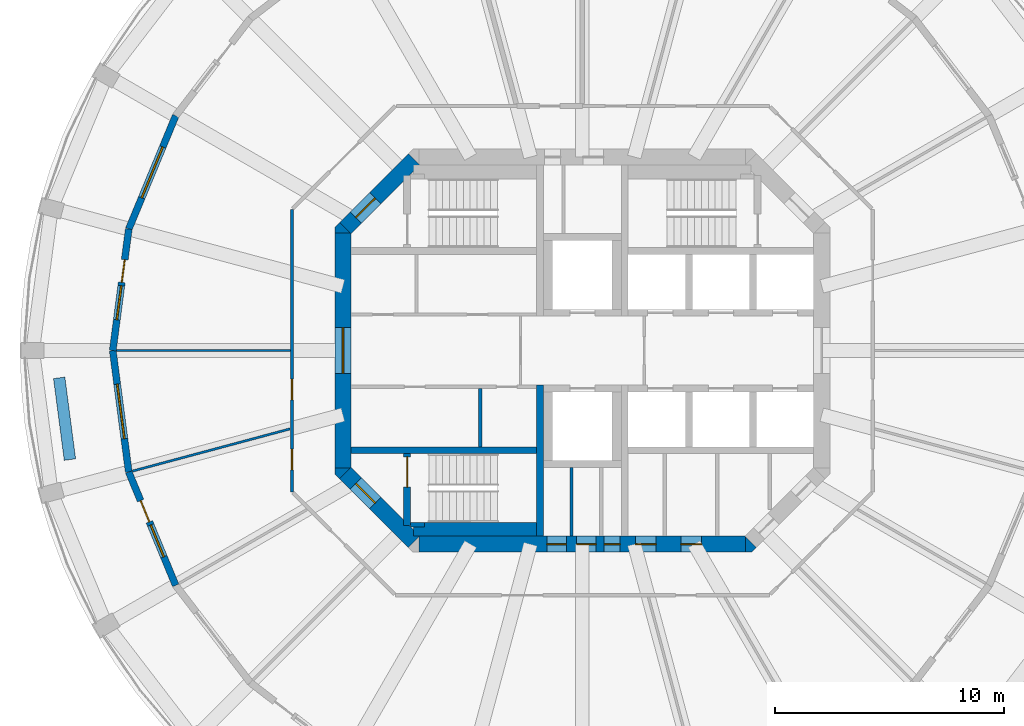
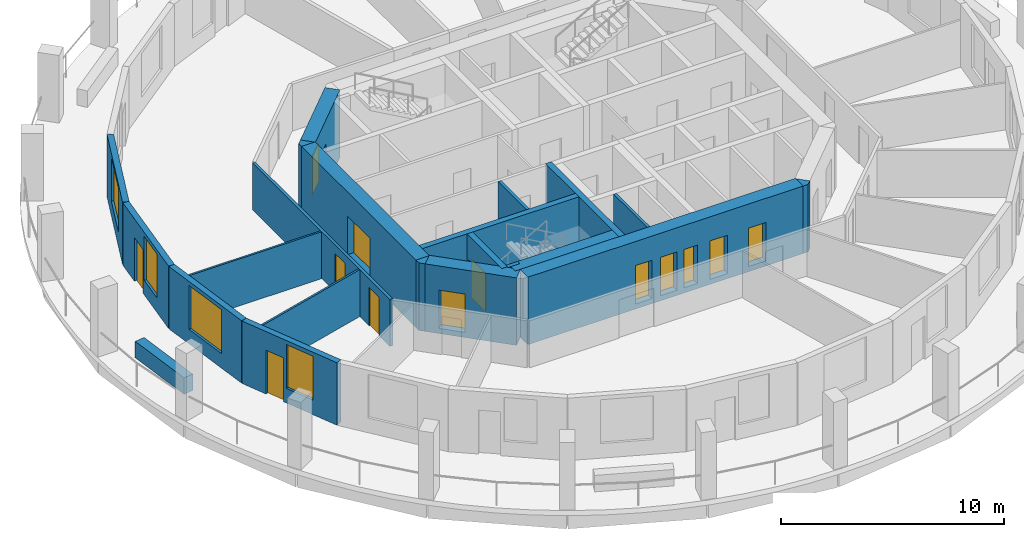
# One storey, part 3 of 9: 22 walls, 13 doors, 4 windows, 17 openings.
"""IFC4 building model written with IfcOpenShell, lengths in metres."""

from ifc_helpers import new_model, si_unit, direction, frame, frame_2d, origin, place, context, subcontext, project, spatial, polyline, rectangle, outline, extrude, material, layer, layer_set, type_object, element, fill, save


model = new_model("IFC4")

# Units and contexts
model_context = context("Model", 3, precision=1e-05, world=origin(), true_north=direction((0.0, 1.0)))
body_context = subcontext(model_context, "Body", "Model", "MODEL_VIEW")
ifc_project = project(units=[si_unit("LENGTHUNIT", "METRE"), si_unit("AREAUNIT", "SQUARE_METRE"), si_unit("VOLUMEUNIT", "CUBIC_METRE"), si_unit("PLANEANGLEUNIT", "RADIAN"), si_unit("MASSUNIT", "GRAM", prefix="KILO")], contexts=[model_context])

# Site, building, storey
site_placement = place(None, origin())
site = spatial("IfcSite", under=ifc_project, at=site_placement, CompositionType="ELEMENT")
building_placement = place(site_placement, origin())
building = spatial("IfcBuilding", under=site, at=building_placement, Name="Torre Triforio", CompositionType="ELEMENT")
storey_placement = place(building_placement, frame((0.0, 0.0, 233.5)))
storey = spatial("IfcBuildingStorey", under=building, at=storey_placement, Name="L53", CompositionType="ELEMENT", Elevation=233.5)

# Wall
ifc_material_1 = material(Name="Concrete C50", Category="concrete")
ifc_layer_1 = layer(ifc_material_1, 0.300048828125)
ifc_layer_set_1 = layer_set([ifc_layer_1], Name="Concrete C50")
wall_type_1 = type_object("IfcWallType", Name="Core wall 300 mm C50 EI 120", PredefinedType="SHEAR", material=ifc_layer_set_1)
wall_1_placement = place(storey_placement, frame((-1.85009765625, -8.10009765625, 0.0), z_axis=(0.0, 0.0, 1.0), x_axis=(0.0, 1.0, 0.0)))
element("IfcWall", 1, at=wall_1_placement, inside=storey, type_object=wall_type_1, Name="Core wall", PredefinedType="SHEAR", context=body_context, shape_type="SweptSolid", body=[
    extrude(rectangle(XDim=6.60009765625, YDim=0.300048828125, at=frame_2d((3.300048828125, 0.0))), origin(), (0.0, 0.0, 1.0), 3.419921875),
])

# Wall, openings, doors
ifc_layer_2 = layer(ifc_material_1, 0.699951171875)
ifc_layer_set_2 = layer_set([ifc_layer_2], Name="Concrete C50")
wall_type_2 = type_object("IfcWallType", Name="Core wall 700 mm C50 EI 120", PredefinedType="SHEAR", material=ifc_layer_set_2)
wall_2_placement = place(storey_placement, frame((-7.1298828125, -8.449951171875, -0.280029296875), z_axis=(0.0, 0.0, 1.0), x_axis=(1.0, 0.0, 0.0)))
wall_2 = element("IfcWall", 2, at=wall_2_placement, inside=storey, type_object=wall_type_2, Name="Core wall", PredefinedType="SHEAR", context=body_context, shape_type="SweptSolid", body=[
    extrude(rectangle(XDim=14.259765625, YDim=0.699951171875, at=frame_2d((7.1298828125, 0.0))), origin(), (0.0, 0.0, 1.0), 3.699951171875),
])
opening_1_placement = place(wall_2_placement, frame((8.080078125, 0.0, 0.280029296875)))
opening_1 = element("IfcOpeningElement", 3, at=opening_1_placement, cuts=wall_2, Name="Opening RISER-S", PredefinedType="OPENING", context=body_context, shape_type="SweptSolid", body=[
    extrude(rectangle(XDim=0.699951171875, YDim=2.10009765625, at=frame_2d((0.35009765625, 1.050048828125))), frame((0.0, 0.35986328125, 0.0), z_axis=(0.0, -1.0, 0.0), x_axis=(1.0, 0.0, 0.0)), (0.0, 0.0, 1.0), 0.719970703125),
])
opening_2_placement = place(wall_2_placement, frame((5.580078125, 0.0, 0.280029296875)))
opening_2 = element("IfcOpeningElement", 4, at=opening_2_placement, cuts=wall_2, Name="Opening SW-01A", PredefinedType="OPENING", context=body_context, shape_type="SweptSolid", body=[
    extrude(rectangle(XDim=0.85009765625, YDim=2.10009765625, at=frame_2d((0.425048828125, 1.050048828125))), frame((0.0, 0.35986328125, 0.0), z_axis=(0.0, -1.0, 0.0), x_axis=(1.0, 0.0, 0.0)), (0.0, 0.0, 1.0), 0.719970703125),
])
opening_3_placement = place(wall_2_placement, frame((6.8798828125, 0.0, 0.280029296875)))
opening_3 = element("IfcOpeningElement", 5, at=opening_3_placement, cuts=wall_2, Name="Opening SW-02", PredefinedType="OPENING", context=body_context, shape_type="SweptSolid", body=[
    extrude(rectangle(XDim=0.85009765625, YDim=2.10009765625, at=frame_2d((0.425048828125, 1.050048828125))), frame((0.0, 0.35986328125, 0.0), z_axis=(0.0, -1.0, 0.0), x_axis=(1.0, 0.0, 0.0)), (0.0, 0.0, 1.0), 0.719970703125),
])
opening_4_placement = place(wall_2_placement, frame((9.445068359375, 0.0, 0.280029296875)))
opening_4 = element("IfcOpeningElement", 6, at=opening_4_placement, cuts=wall_2, Name="Opening SE-01A", PredefinedType="OPENING", context=body_context, shape_type="SweptSolid", body=[
    extrude(rectangle(XDim=0.89990234375, YDim=2.10009765625, at=frame_2d((0.449951171875, 1.050048828125))), frame((0.0, 0.35986328125, 0.0), z_axis=(0.0, -1.0, 0.0), x_axis=(1.0, 0.0, 0.0)), (0.0, 0.0, 1.0), 0.719970703125),
])
opening_5_placement = place(wall_2_placement, frame((11.430908203125, 0.0, 0.280029296875)))
opening_5 = element("IfcOpeningElement", 7, at=opening_5_placement, cuts=wall_2, Name="Opening SE-02", PredefinedType="OPENING", context=body_context, shape_type="SweptSolid", body=[
    extrude(rectangle(XDim=0.89990234375, YDim=2.10009765625, at=frame_2d((0.449951171875, 1.050048828125))), frame((0.0, 0.35986328125, 0.0), z_axis=(0.0, -1.0, 0.0), x_axis=(1.0, 0.0, 0.0)), (0.0, 0.0, 1.0), 0.719970703125),
])
ifc_material_2 = material(Name="Hollow metal fire door leaf")
door_type_1 = type_object("IfcDoorType", Name="Riser door 700 x 2100 EI 60", OperationType="NOTDEFINED", PredefinedType="DOOR", material=ifc_material_2)
door_1_placement = place(opening_1_placement, origin())
door_1 = element("IfcDoor", 8, at=door_1_placement, inside=storey, type_object=door_type_1, Name="Core door RISER-S", OperationType="SINGLE_SWING_RIGHT", OverallHeight=2.10009765625, OverallWidth=0.699951171875, PredefinedType="DOOR", context=body_context, shape_type="SweptSolid", body=[
    extrude(rectangle(XDim=0.699951171875, YDim=2.10009765625, at=frame_2d((0.35009765625, 1.050048828125))), frame((0.0, 0.02490234375, 0.0), z_axis=(0.0, -1.0, 0.0), x_axis=(1.0, 0.0, 0.0)), (0.0, 0.0, 1.0), 0.050048828125),
])
fill(opening_1, door_1)
door_type_2 = type_object("IfcDoorType", Name="Room door 850 x 2100 EI 60", OperationType="NOTDEFINED", PredefinedType="DOOR", material=ifc_material_2)
door_2_placement = place(opening_2_placement, origin())
door_2 = element("IfcDoor", 9, at=door_2_placement, inside=storey, type_object=door_type_2, Name="Core door SW-01", OperationType="SINGLE_SWING_RIGHT", OverallHeight=2.10009765625, OverallWidth=0.85009765625, PredefinedType="DOOR", context=body_context, shape_type="SweptSolid", body=[
    extrude(rectangle(XDim=0.85009765625, YDim=2.10009765625, at=frame_2d((0.425048828125, 1.050048828125))), frame((0.0, 0.02490234375, 0.0), z_axis=(0.0, -1.0, 0.0), x_axis=(1.0, 0.0, 0.0)), (0.0, 0.0, 1.0), 0.050048828125),
])
fill(opening_2, door_2)
door_3_placement = place(opening_3_placement, origin())
door_3 = element("IfcDoor", 10, at=door_3_placement, inside=storey, type_object=door_type_2, Name="Core door SW-02", OperationType="SINGLE_SWING_LEFT", OverallHeight=2.10009765625, OverallWidth=0.85009765625, PredefinedType="DOOR", context=body_context, shape_type="SweptSolid", body=[
    extrude(rectangle(XDim=0.85009765625, YDim=2.10009765625, at=frame_2d((0.425048828125, 1.050048828125))), frame((0.0, 0.02490234375, 0.0), z_axis=(0.0, -1.0, 0.0), x_axis=(1.0, 0.0, 0.0)), (0.0, 0.0, 1.0), 0.050048828125),
])
fill(opening_3, door_3)
door_type_3 = type_object("IfcDoorType", Name="Room door 900 x 2100 EI 60", OperationType="NOTDEFINED", PredefinedType="DOOR", material=ifc_material_2)
door_4_placement = place(opening_4_placement, origin())
door_4 = element("IfcDoor", 11, at=door_4_placement, inside=storey, type_object=door_type_3, Name="Core door SE-01", OperationType="SINGLE_SWING_RIGHT", OverallHeight=2.10009765625, OverallWidth=0.89990234375, PredefinedType="DOOR", context=body_context, shape_type="SweptSolid", body=[
    extrude(rectangle(XDim=0.89990234375, YDim=2.10009765625, at=frame_2d((0.449951171875, 1.050048828125))), frame((0.0, 0.02490234375, 0.0), z_axis=(0.0, -1.0, 0.0), x_axis=(1.0, 0.0, 0.0)), (0.0, 0.0, 1.0), 0.050048828125),
])
fill(opening_4, door_4)
door_5_placement = place(opening_5_placement, origin())
door_5 = element("IfcDoor", 12, at=door_5_placement, inside=storey, type_object=door_type_3, Name="Core door SE-02", OperationType="SINGLE_SWING_LEFT", OverallHeight=2.10009765625, OverallWidth=0.89990234375, PredefinedType="DOOR", context=body_context, shape_type="SweptSolid", body=[
    extrude(rectangle(XDim=0.89990234375, YDim=2.10009765625, at=frame_2d((0.449951171875, 1.050048828125))), frame((0.0, 0.02490234375, 0.0), z_axis=(0.0, -1.0, 0.0), x_axis=(1.0, 0.0, 0.0)), (0.0, 0.0, 1.0), 0.050048828125),
])
fill(opening_5, door_5)

# Wall, opening, door
wall_3_placement = place(storey_placement, frame((-10.449951171875, -5.1298828125, -0.280029296875), z_axis=(0.0, 0.0, 1.0), x_axis=(0.0, 1.0, 0.0)))
wall_3 = element("IfcWall", 13, at=wall_3_placement, inside=storey, type_object=wall_type_2, Name="Core wall", PredefinedType="SHEAR", context=body_context, shape_type="SweptSolid", body=[
    extrude(rectangle(XDim=10.259765625, YDim=0.699951171875, at=frame_2d((5.1298828125, 0.0))), origin(), (0.0, 0.0, 1.0), 3.699951171875),
])
opening_6_placement = place(wall_3_placement, frame((4.1298828125, 0.0, 0.280029296875)))
opening_6 = element("IfcOpeningElement", 14, at=opening_6_placement, cuts=wall_3, Name="Opening W-RING", PredefinedType="OPENING", context=body_context, shape_type="SweptSolid", body=[
    extrude(rectangle(XDim=2.0, YDim=2.10009765625, at=frame_2d((1.0, 1.050048828125))), frame((0.0, 0.35986328125, 0.0), z_axis=(0.0, -1.0, 0.0), x_axis=(1.0, 0.0, 0.0)), (0.0, 0.0, 1.0), 0.719970703125),
])
door_type_4 = type_object("IfcDoorType", Name="Lobby door 2000 x 2100 EI 60", OperationType="DOUBLE_DOOR_SINGLE_SWING", PredefinedType="DOOR", material=ifc_material_2)
door_6_placement = place(opening_6_placement, origin())
door_6 = element("IfcDoor", 15, at=door_6_placement, inside=storey, type_object=door_type_4, Name="Core door W-RING", OperationType="DOUBLE_DOOR_SINGLE_SWING", OverallHeight=2.10009765625, OverallWidth=2.0, PredefinedType="DOOR", context=body_context, shape_type="SweptSolid", body=[
    extrude(rectangle(XDim=2.0, YDim=2.10009765625, at=frame_2d((1.0, 1.050048828125))), frame((0.0, 0.02490234375, 0.0), z_axis=(0.0, -1.0, 0.0), x_axis=(1.0, 0.0, 0.0)), (0.0, 0.0, 1.0), 0.050048828125),
])
fill(opening_6, door_6)

wall_4_placement = place(storey_placement, frame((-10.347412109375, 5.347412109375, -0.280029296875), z_axis=(0.0, 0.0, 1.0), x_axis=(0.707106781187, 0.707106781187, 0.0)))
wall_4 = element("IfcWall", 16, at=wall_4_placement, inside=storey, type_object=wall_type_2, Name="Core wall", PredefinedType="SHEAR", context=body_context, shape_type="SweptSolid", body=[
    extrude(rectangle(XDim=4.24267578125, YDim=0.699951171875, at=frame_2d((2.121337890625, 0.0))), origin(), (0.0, 0.0, 1.0), 3.699951171875),
])
opening_7_placement = place(wall_4_placement, frame((0.64990234375, 0.0, 0.280029296875)))
opening_7 = element("IfcOpeningElement", 17, at=opening_7_placement, cuts=wall_4, Name="Opening ST1-EXIT", PredefinedType="OPENING", context=body_context, shape_type="SweptSolid", body=[
    extrude(rectangle(XDim=1.199951171875, YDim=2.10009765625, at=frame_2d((0.60009765625, 1.050048828125))), frame((0.0, 0.35986328125, 0.0), z_axis=(0.0, -1.0, 0.0), x_axis=(1.0, 0.0, 0.0)), (0.0, 0.0, 1.0), 0.719970703125),
])
door_type_5 = type_object("IfcDoorType", Name="Stair lobby door 1200 x 2100 EI 60", OperationType="NOTDEFINED", PredefinedType="DOOR", material=ifc_material_2)
door_7_placement = place(opening_7_placement, origin())
door_7 = element("IfcDoor", 18, at=door_7_placement, inside=storey, type_object=door_type_5, Name="Core door ST1-EXIT", OperationType="SINGLE_SWING_RIGHT", OverallHeight=2.10009765625, OverallWidth=1.199951171875, PredefinedType="DOOR", context=body_context, shape_type="SweptSolid", body=[
    extrude(rectangle(XDim=1.199951171875, YDim=2.10009765625, at=frame_2d((0.60009765625, 1.050048828125))), frame((0.0, 0.02490234375, 0.0), z_axis=(0.0, -1.0, 0.0), x_axis=(1.0, 0.0, 0.0)), (0.0, 0.0, 1.0), 0.050048828125),
])
fill(opening_7, door_7)

wall_5_placement = place(storey_placement, frame((-7.347412109375, -8.347412109375, -0.280029296875), z_axis=(0.0, 0.0, 1.0), x_axis=(-0.707106781187, 0.707106781187, 0.0)))
wall_5 = element("IfcWall", 19, at=wall_5_placement, inside=storey, type_object=wall_type_2, Name="Core wall", PredefinedType="SHEAR", context=body_context, shape_type="SweptSolid", body=[
    extrude(rectangle(XDim=4.24267578125, YDim=0.699951171875, at=frame_2d((2.121337890625, 0.0))), origin(), (0.0, 0.0, 1.0), 3.699951171875),
])
opening_8_placement = place(wall_5_placement, frame((2.392578125, 0.0, 0.280029296875)))
opening_8 = element("IfcOpeningElement", 20, at=opening_8_placement, cuts=wall_5, Name="Opening ST3-EXIT", PredefinedType="OPENING", context=body_context, shape_type="SweptSolid", body=[
    extrude(rectangle(XDim=1.199951171875, YDim=2.10009765625, at=frame_2d((0.60009765625, 1.050048828125))), frame((0.0, 0.35986328125, 0.0), z_axis=(0.0, -1.0, 0.0), x_axis=(1.0, 0.0, 0.0)), (0.0, 0.0, 1.0), 0.719970703125),
])
door_8_placement = place(opening_8_placement, origin())
door_8 = element("IfcDoor", 21, at=door_8_placement, inside=storey, type_object=door_type_5, Name="Core door ST3-EXIT", OperationType="SINGLE_SWING_RIGHT", OverallHeight=2.10009765625, OverallWidth=1.199951171875, PredefinedType="DOOR", context=body_context, shape_type="SweptSolid", body=[
    extrude(rectangle(XDim=1.199951171875, YDim=2.10009765625, at=frame_2d((0.60009765625, 1.050048828125))), frame((0.0, 0.02490234375, 0.0), z_axis=(0.0, -1.0, 0.0), x_axis=(1.0, 0.0, 0.0)), (0.0, 0.0, 1.0), 0.050048828125),
])
fill(opening_8, door_8)

# Walls
wall_6_placement = place(storey_placement, frame((0.0, 0.0, -0.280029296875)))
element("IfcWall", 22, at=wall_6_placement, inside=storey, type_object=wall_type_2, Name="Core wall", PredefinedType="SHEAR", context=body_context, shape_type="SweptSolid", body=[
    extrude(outline(polyline([(7.389892578125, -8.800048828125), (7.1298828125, -8.800048828125), (7.1298828125, -8.800048828125), (7.1298828125, -8.1298828125), (7.594970703125, -8.594970703125), (7.594970703125, -8.594970703125), (7.594970703125, -8.594970703125), (7.389892578125, -8.800048828125)])), origin(), (0.0, 0.0, 1.0), 3.699951171875),
])
wall_7_placement = place(storey_placement, frame((0.0, 0.0, -0.280029296875)))
element("IfcWall", 23, at=wall_7_placement, inside=storey, type_object=wall_type_2, Name="Core wall", PredefinedType="SHEAR", context=body_context, shape_type="SweptSolid", body=[
    extrude(outline(polyline([(-10.800048828125, -5.389892578125), (-10.800048828125, -5.1298828125), (-10.800048828125, -5.1298828125), (-10.1298828125, -5.1298828125), (-10.594970703125, -5.594970703125), (-10.594970703125, -5.594970703125), (-10.594970703125, -5.594970703125), (-10.800048828125, -5.389892578125)])), origin(), (0.0, 0.0, 1.0), 3.699951171875),
])
wall_8_placement = place(storey_placement, frame((0.0, 0.0, -0.280029296875)))
element("IfcWall", 24, at=wall_8_placement, inside=storey, type_object=wall_type_2, Name="Core wall", PredefinedType="SHEAR", context=body_context, shape_type="SweptSolid", body=[
    extrude(outline(polyline([(-10.594970703125, 5.594970703125), (-10.594970703125, 5.594970703125), (-10.594970703125, 5.594970703125), (-10.1298828125, 5.1298828125), (-10.800048828125, 5.1298828125), (-10.800048828125, 5.1298828125), (-10.800048828125, 5.389892578125), (-10.594970703125, 5.594970703125)])), origin(), (0.0, 0.0, 1.0), 3.699951171875),
])

# Wall, openings, doors
ifc_material_3 = material(Name="Plasterboard on metal studs")
ifc_layer_3 = layer(ifc_material_3, 0.14990234375)
ifc_layer_set_3 = layer_set([ifc_layer_3], Name="Plasterboard on metal studs")
wall_type_3 = type_object("IfcWallType", Name="Corridor and tenancy wall 150 mm EI 60", PredefinedType="PARTITIONING", material=ifc_layer_set_3)
wall_9_placement = place(storey_placement, frame((-12.675048828125, -6.16650390625, 0.0), z_axis=(0.0, 0.0, 1.0), x_axis=(0.0, 1.0, 0.0)))
wall_9 = element("IfcWall", 25, at=wall_9_placement, inside=storey, type_object=wall_type_3, Name="Partition 4", PredefinedType="PARTITIONING", context=body_context, shape_type="SweptSolid", body=[
    extrude(rectangle(XDim=12.3330078125, YDim=0.14990234375, at=frame_2d((6.16650390625, 0.0))), origin(), (0.0, 0.0, 1.0), 2.570068359375),
])
opening_9_placement = place(wall_9_placement, frame((4.017578125, 0.0, 0.0)))
opening_9 = element("IfcOpeningElement", 26, at=opening_9_placement, cuts=wall_9, Name="Opening O7-02", PredefinedType="OPENING", context=body_context, shape_type="SweptSolid", body=[
    extrude(rectangle(XDim=0.89990234375, YDim=2.10009765625, at=frame_2d((0.449951171875, 1.050048828125))), frame((0.0, 0.0849609375, 0.0), z_axis=(0.0, -1.0, 0.0), x_axis=(1.0, 0.0, 0.0)), (0.0, 0.0, 1.0), 0.169921875),
])
opening_10_placement = place(wall_9_placement, frame((0.960205078125, 0.0, 0.0)))
opening_10 = element("IfcOpeningElement", 27, at=opening_10_placement, cuts=wall_9, Name="Opening O7-03", PredefinedType="OPENING", context=body_context, shape_type="SweptSolid", body=[
    extrude(rectangle(XDim=0.89990234375, YDim=2.10009765625, at=frame_2d((0.449951171875, 1.050048828125))), frame((0.0, 0.0849609375, 0.0), z_axis=(0.0, -1.0, 0.0), x_axis=(1.0, 0.0, 0.0)), (0.0, 0.0, 1.0), 0.169921875),
])
ifc_material_4 = material(Name="Timber", Category="wood")
door_type_6 = type_object("IfcDoorType", Name="Door 900 x 2100 single leaf EI 30", OperationType="NOTDEFINED", PredefinedType="DOOR", material=ifc_material_4)
door_9_placement = place(opening_9_placement, origin())
door_9 = element("IfcDoor", 28, at=door_9_placement, inside=storey, type_object=door_type_6, Name="Door O7-02", OperationType="SINGLE_SWING_LEFT", OverallHeight=2.10009765625, OverallWidth=0.89990234375, PredefinedType="DOOR", context=body_context, shape_type="SweptSolid", body=[
    extrude(rectangle(XDim=0.89990234375, YDim=2.10009765625, at=frame_2d((0.449951171875, 1.050048828125))), frame((0.0, 0.02490234375, 0.0), z_axis=(0.0, -1.0, 0.0), x_axis=(1.0, 0.0, 0.0)), (0.0, 0.0, 1.0), 0.050048828125),
])
fill(opening_9, door_9)
door_10_placement = place(opening_10_placement, origin())
door_10 = element("IfcDoor", 29, at=door_10_placement, inside=storey, type_object=door_type_6, Name="Door O7-03", OperationType="SINGLE_SWING_LEFT", OverallHeight=2.10009765625, OverallWidth=0.89990234375, PredefinedType="DOOR", context=body_context, shape_type="SweptSolid", body=[
    extrude(rectangle(XDim=0.89990234375, YDim=2.10009765625, at=frame_2d((0.449951171875, 1.050048828125))), frame((0.0, 0.02490234375, 0.0), z_axis=(0.0, -1.0, 0.0), x_axis=(1.0, 0.0, 0.0)), (0.0, 0.0, 1.0), 0.050048828125),
])
fill(opening_10, door_10)

# Walls
ifc_layer_4 = layer(ifc_material_3, 0.10009765625)
ifc_layer_set_4 = layer_set([ifc_layer_4], Name="Plasterboard on metal studs")
wall_type_4 = type_object("IfcWallType", Name="Partition 100 mm board on metal studs", PredefinedType="PARTITIONING", material=ifc_layer_set_4)
wall_10_placement = place(storey_placement, frame((-12.75, 0.0, 0.0), z_axis=(0.0, 0.0, 1.0), x_axis=(-1.0, 0.0, 0.0)))
element("IfcWall", 30, at=wall_10_placement, inside=storey, type_object=wall_type_4, Name="Partition 18", PredefinedType="PARTITIONING", context=body_context, shape_type="SweptSolid", body=[
    extrude(rectangle(XDim=7.586669921875, YDim=0.10009765625, at=frame_2d((3.79345703125, 0.0))), origin(), (0.0, 0.0, 1.0), 2.570068359375),
])
wall_11_placement = place(storey_placement, frame((-12.764404296875, -3.420166015625, 0.0), z_axis=(0.0, 0.0, 1.0), x_axis=(-0.965928160208, -0.258810334643, 0.0)))
element("IfcWall", 31, at=wall_11_placement, inside=storey, type_object=wall_type_4, Name="Partition 19", PredefinedType="PARTITIONING", context=body_context, shape_type="SweptSolid", body=[
    extrude(rectangle(XDim=7.1220703125, YDim=0.10009765625, at=frame_2d((3.56103515625, 0.0))), origin(), (0.0, 0.0, 1.0), 2.570068359375),
])
ifc_material_5 = material(Name="Block and board partition")
ifc_layer_5 = layer(ifc_material_5, 0.14990234375)
ifc_layer_set_5 = layer_set([ifc_layer_5], Name="Block and board partition")
wall_type_5 = type_object("IfcWallType", Name="Partition 150 mm", PredefinedType="PARTITIONING", material=ifc_layer_set_5)
wall_12_placement = place(storey_placement, frame((-0.47509765625, -8.10009765625, 0.0), z_axis=(0.0, 0.0, 1.0), x_axis=(0.0, 1.0, 0.0)))
element("IfcWall", 32, at=wall_12_placement, inside=storey, type_object=wall_type_5, Name="Partition", PredefinedType="PARTITIONING", context=body_context, shape_type="SweptSolid", body=[
    extrude(rectangle(XDim=3.0, YDim=0.14990234375, at=frame_2d((1.5, 0.0))), origin(), (0.0, 0.0, 1.0), 3.419921875),
])
wall_13_placement = place(storey_placement, frame((-4.4599609375, -4.199951171875, 0.0), z_axis=(0.0, 0.0, 1.0), x_axis=(0.0, 1.0, 0.0)))
element("IfcWall", 33, at=wall_13_placement, inside=storey, type_object=wall_type_5, Name="Partition", PredefinedType="PARTITIONING", context=body_context, shape_type="SweptSolid", body=[
    extrude(rectangle(XDim=2.550048828125, YDim=0.14990234375, at=frame_2d((1.27490234375, 0.0))), origin(), (0.0, 0.0, 1.0), 3.419921875),
])
ifc_material_6 = material(Name="Limestone cladding", Category="masonry")
ifc_layer_6 = layer(ifc_material_6, 0.10009765625)
ifc_material_7 = material(Name="Concrete C40", Category="concrete")
ifc_layer_7 = layer(ifc_material_7, 0.39990234375)
ifc_layer_set_6 = layer_set([ifc_layer_6, ifc_layer_7], Name="Limestone cladding / Concrete C40")
wall_type_6 = type_object("IfcWallType", Name="Planter wall 500", PredefinedType="PARAPET", material=ifc_layer_set_6)
wall_14_placement = place(storey_placement, frame((-22.83984375, -1.19140625, 0.0), z_axis=(0.0, 0.0, 1.0), x_axis=(0.130484336385, -0.9914503709, 0.0)))
element("IfcWall", 34, at=wall_14_placement, inside=storey, type_object=wall_type_6, Name="Planter L53 bay 13", PredefinedType="PARAPET", context=body_context, shape_type="SweptSolid", body=[
    extrude(rectangle(XDim=3.599853515625, YDim=0.5, at=frame_2d((1.7998046875, 0.0))), origin(), (0.0, 0.0, 1.0), 0.89990234375),
])
ifc_layer_8 = layer(ifc_material_1, 0.300048828125)
ifc_layer_set_7 = layer_set([ifc_layer_8], Name="Concrete C50")
wall_type_7 = type_object("IfcWallType", Name="Shaft wall 300 mm C50 EI 120", PredefinedType="SOLIDWALL", material=ifc_layer_set_7)
wall_15_placement = place(storey_placement, frame((-10.10009765625, -4.35009765625, 0.0), z_axis=(0.0, 0.0, 1.0), x_axis=(1.0, 0.0, 0.0)))
element("IfcWall", 35, at=wall_15_placement, inside=storey, type_object=wall_type_7, Name="Shaft wall", PredefinedType="SOLIDWALL", context=body_context, shape_type="SweptSolid", body=[
    extrude(rectangle(XDim=8.10009765625, YDim=0.300048828125, at=frame_2d((4.050048828125, 0.0))), origin(), (0.0, 0.0, 1.0), 3.419921875),
])
ifc_layer_9 = layer(ifc_material_1, 0.199951171875)
ifc_layer_set_8 = layer_set([ifc_layer_9], Name="Concrete C50")
wall_type_8 = type_object("IfcWallType", Name="Stair wall 200 mm C50 EI 120", PredefinedType="SHEAR", material=ifc_layer_set_8)
wall_16_placement = place(storey_placement, frame((-7.5, -7.60009765625, 0.0), z_axis=(0.0, 0.0, 1.0), x_axis=(1.0, 0.0, 0.0)))
element("IfcWall", 36, at=wall_16_placement, inside=storey, type_object=wall_type_8, Name="Stair wall", PredefinedType="SHEAR", context=body_context, shape_type="SweptSolid", body=[
    extrude(rectangle(XDim=0.60009765625, YDim=0.199951171875, at=frame_2d((0.300048828125, 0.0))), origin(), (0.0, 0.0, 1.0), 3.419921875),
])

# Wall, opening, door
ifc_layer_10 = layer(ifc_material_1, 0.300048828125)
ifc_layer_set_9 = layer_set([ifc_layer_10], Name="Concrete C50")
wall_type_9 = type_object("IfcWallType", Name="Stair wall 300 mm C50 EI 120", PredefinedType="SHEAR", material=ifc_layer_set_9)
wall_17_placement = place(storey_placement, frame((-7.64990234375, -7.639892578125, 0.0), z_axis=(0.0, 0.0, 1.0), x_axis=(0.0, 1.0, 0.0)))
wall_17 = element("IfcWall", 37, at=wall_17_placement, inside=storey, type_object=wall_type_9, Name="Stair wall", PredefinedType="SHEAR", context=body_context, shape_type="SweptSolid", body=[
    extrude(rectangle(XDim=3.139892578125, YDim=0.300048828125, at=frame_2d((1.56982421875, 0.0))), origin(), (0.0, 0.0, 1.0), 3.419921875),
])
opening_11_placement = place(wall_17_placement, frame((1.679931640625, 0.0, 0.0)))
opening_11 = element("IfcOpeningElement", 38, at=opening_11_placement, cuts=wall_17, Name="Opening ST3-STA", PredefinedType="OPENING", context=body_context, shape_type="SweptSolid", body=[
    extrude(rectangle(XDim=1.320068359375, YDim=2.10009765625, at=frame_2d((0.66015625, 1.050048828125))), frame((0.0, 0.159912109375, 0.0), z_axis=(0.0, -1.0, 0.0), x_axis=(1.0, 0.0, 0.0)), (0.0, 0.0, 1.0), 0.320068359375),
])
door_type_7 = type_object("IfcDoorType", Name="Stair door 1320 x 2100 EI 90", OperationType="DOUBLE_DOOR_SINGLE_SWING", PredefinedType="DOOR", material=ifc_material_2)
door_11_placement = place(opening_11_placement, origin())
door_11 = element("IfcDoor", 39, at=door_11_placement, inside=storey, type_object=door_type_7, Name="Core door ST3-ST", OperationType="DOUBLE_DOOR_SINGLE_SWING", OverallHeight=2.10009765625, OverallWidth=1.320068359375, PredefinedType="DOOR", context=body_context, shape_type="SweptSolid", body=[
    extrude(rectangle(XDim=1.320068359375, YDim=2.10009765625, at=frame_2d((0.66015625, 1.050048828125))), frame((0.0, 0.02490234375, 0.0), z_axis=(0.0, -1.0, 0.0), x_axis=(1.0, 0.0, 0.0)), (0.0, 0.0, 1.0), 0.050048828125),
])
fill(opening_11, door_11)

# Wall
ifc_layer_11 = layer(ifc_material_1, 0.60009765625)
ifc_layer_set_10 = layer_set([ifc_layer_11], Name="Concrete C50")
wall_type_10 = type_object("IfcWallType", Name="Stair wall 600 mm C50 EI 120", PredefinedType="SHEAR", material=ifc_layer_set_10)
wall_18_placement = place(storey_placement, frame((-7.3701171875, -7.800048828125, 0.0), z_axis=(0.0, 0.0, 1.0), x_axis=(1.0, 0.0, 0.0)))
element("IfcWall", 40, at=wall_18_placement, inside=storey, type_object=wall_type_10, Name="Stair wall", PredefinedType="SHEAR", context=body_context, shape_type="SweptSolid", body=[
    extrude(rectangle(XDim=5.3701171875, YDim=0.60009765625, at=frame_2d((2.68505859375, 0.0))), origin(), (0.0, 0.0, 1.0), 3.419921875),
])

# Wall, opening, window
ifc_layer_12 = layer(ifc_material_6, 0.10009765625)
ifc_layer_13 = layer(ifc_material_7, 0.199951171875)
ifc_layer_set_11 = layer_set([ifc_layer_12, ifc_layer_13], Name="Limestone cladding / Concrete C40")
wall_type_11 = type_object("IfcWallType", Name="Stone-faced composite wall 300", PredefinedType="STANDARD", material=ifc_layer_set_11)
wall_19_placement = place(storey_placement, frame((-17.75341796875, 10.25, 0.0), z_axis=(0.0, 0.0, 1.0), x_axis=(-0.382713071139, -0.923867255172, 0.0)))
wall_19 = element("IfcWall", 41, at=wall_19_placement, inside=storey, type_object=wall_type_11, Name="External wall L53 bay 11", PredefinedType="STANDARD", context=body_context, shape_type="SweptSolid", body=[
    extrude(rectangle(XDim=5.3515625, YDim=0.300048828125, at=frame_2d((2.67578125, 0.0))), origin(), (0.0, 0.0, 1.0), 3.419921875),
])
opening_12_placement = place(wall_19_placement, frame((1.475830078125, 0.0, 0.800048828125)))
opening_12 = element("IfcOpeningElement", 42, at=opening_12_placement, cuts=wall_19, Name="Opening O7-W11", PredefinedType="OPENING", context=body_context, shape_type="SweptSolid", body=[
    extrude(rectangle(XDim=2.39990234375, YDim=2.39990234375, at=frame_2d((1.199951171875, 1.199951171875))), frame((0.0, 0.159912109375, 0.0), z_axis=(0.0, -1.0, 0.0), x_axis=(1.0, 0.0, 0.0)), (0.0, 0.0, 1.0), 0.320068359375),
])
ifc_material_8 = material(Name="Aluminium frame with clear double glazing", Category="aluminium")
window_type_1 = type_object("IfcWindowType", Name="Punched window 2400 x 2400", PartitioningType="DOUBLE_PANEL_VERTICAL", PredefinedType="WINDOW", material=ifc_material_8)
window_1_placement = place(opening_12_placement, origin())
window_1 = element("IfcWindow", 43, at=window_1_placement, inside=storey, type_object=window_type_1, Name="Window EWN4 L53 bay 11", OverallHeight=2.39990234375, OverallWidth=2.39990234375, PartitioningType="SINGLE_PANEL", PredefinedType="WINDOW", context=body_context, shape_type="SweptSolid", body=[
    extrude(rectangle(XDim=2.39990234375, YDim=2.39990234375, at=frame_2d((1.199951171875, 1.199951171875))), frame((0.0, 0.030029296875, 0.0), z_axis=(0.0, -1.0, 0.0), x_axis=(1.0, 0.0, 0.0)), (0.0, 0.0, 1.0), 0.06005859375),
])
fill(opening_12, window_1)

# Wall, openings, door, window
wall_20_placement = place(storey_placement, frame((-19.801513671875, 5.305908203125, 0.0), z_axis=(0.0, 0.0, 1.0), x_axis=(-0.130517056518, -0.991446064069, 0.0)))
wall_20 = element("IfcWall", 44, at=wall_20_placement, inside=storey, type_object=wall_type_11, Name="External wall L53 bay 12", PredefinedType="STANDARD", context=body_context, shape_type="SweptSolid", body=[
    extrude(rectangle(XDim=5.351806640625, YDim=0.300048828125, at=frame_2d((2.67578125, 0.0))), origin(), (0.0, 0.0, 1.0), 3.419921875),
])
opening_13_placement = place(wall_20_placement, frame((1.350830078125, 0.0, 0.0)))
opening_13 = element("IfcOpeningElement", 45, at=opening_13_placement, cuts=wall_20, Name="Opening O7-D12", PredefinedType="OPENING", context=body_context, shape_type="SweptSolid", body=[
    extrude(rectangle(XDim=1.0, YDim=2.39990234375, at=frame_2d((0.5, 1.199951171875))), frame((0.0, 0.159912109375, 0.0), z_axis=(0.0, -1.0, 0.0), x_axis=(1.0, 0.0, 0.0)), (0.0, 0.0, 1.0), 0.320068359375),
])
opening_14_placement = place(wall_20_placement, frame((2.500732421875, 0.0, 0.800048828125)))
opening_14 = element("IfcOpeningElement", 46, at=opening_14_placement, cuts=wall_20, Name="Opening O7-W12A", PredefinedType="OPENING", context=body_context, shape_type="SweptSolid", body=[
    extrude(rectangle(XDim=1.5, YDim=2.39990234375, at=frame_2d((0.75, 1.199951171875))), frame((0.0, 0.159912109375, 0.0), z_axis=(0.0, -1.0, 0.0), x_axis=(1.0, 0.0, 0.0)), (0.0, 0.0, 1.0), 0.320068359375),
])
door_type_8 = type_object("IfcDoorType", Name="Loggia door 1000 x 2400", OperationType="NOTDEFINED", PredefinedType="DOOR", material=ifc_material_8)
door_12_placement = place(opening_13_placement, origin())
door_12 = element("IfcDoor", 47, at=door_12_placement, inside=storey, type_object=door_type_8, Name="Loggia door L53 bay 12", OperationType="SINGLE_SWING_LEFT", OverallHeight=2.39990234375, OverallWidth=1.0, PredefinedType="DOOR", context=body_context, shape_type="SweptSolid", body=[
    extrude(rectangle(XDim=1.0, YDim=2.39990234375, at=frame_2d((0.5, 1.199951171875))), frame((0.0, 0.02490234375, 0.0), z_axis=(0.0, -1.0, 0.0), x_axis=(1.0, 0.0, 0.0)), (0.0, 0.0, 1.0), 0.050048828125),
])
fill(opening_13, door_12)
window_type_2 = type_object("IfcWindowType", Name="Side window 1500 x 2400", PartitioningType="SINGLE_PANEL", PredefinedType="WINDOW", material=ifc_material_8)
window_2_placement = place(opening_14_placement, origin())
window_2 = element("IfcWindow", 48, at=window_2_placement, inside=storey, type_object=window_type_2, Name="Side window EWN14 L53 bay 12", OverallHeight=2.39990234375, OverallWidth=1.5, PartitioningType="SINGLE_PANEL", PredefinedType="WINDOW", context=body_context, shape_type="SweptSolid", body=[
    extrude(rectangle(XDim=1.5, YDim=2.39990234375, at=frame_2d((0.75, 1.199951171875))), frame((0.0, 0.030029296875, 0.0), z_axis=(0.0, -1.0, 0.0), x_axis=(1.0, 0.0, 0.0)), (0.0, 0.0, 1.0), 0.06005859375),
])
fill(opening_14, window_2)

# Wall, opening, window
wall_21_placement = place(storey_placement, frame((-20.5, 0.0, 0.0), z_axis=(0.0, 0.0, 1.0), x_axis=(0.130517056518, -0.991446064069, 0.0)))
wall_21 = element("IfcWall", 49, at=wall_21_placement, inside=storey, type_object=wall_type_11, Name="External wall L53 bay 13", PredefinedType="STANDARD", context=body_context, shape_type="SweptSolid", body=[
    extrude(rectangle(XDim=5.351806640625, YDim=0.300048828125, at=frame_2d((2.67578125, 0.0))), origin(), (0.0, 0.0, 1.0), 3.419921875),
])
opening_15_placement = place(wall_21_placement, frame((1.475830078125, 0.0, 0.800048828125)))
opening_15 = element("IfcOpeningElement", 50, at=opening_15_placement, cuts=wall_21, Name="Opening O7-W13", PredefinedType="OPENING", context=body_context, shape_type="SweptSolid", body=[
    extrude(rectangle(XDim=2.39990234375, YDim=2.39990234375, at=frame_2d((1.199951171875, 1.199951171875))), frame((0.0, 0.159912109375, 0.0), z_axis=(0.0, -1.0, 0.0), x_axis=(1.0, 0.0, 0.0)), (0.0, 0.0, 1.0), 0.320068359375),
])
window_3_placement = place(opening_15_placement, origin())
window_3 = element("IfcWindow", 51, at=window_3_placement, inside=storey, type_object=window_type_1, Name="Window EWN4 L53 bay 13", OverallHeight=2.39990234375, OverallWidth=2.39990234375, PartitioningType="SINGLE_PANEL", PredefinedType="WINDOW", context=body_context, shape_type="SweptSolid", body=[
    extrude(rectangle(XDim=2.39990234375, YDim=2.39990234375, at=frame_2d((1.199951171875, 1.199951171875))), frame((0.0, 0.030029296875, 0.0), z_axis=(0.0, -1.0, 0.0), x_axis=(1.0, 0.0, 0.0)), (0.0, 0.0, 1.0), 0.06005859375),
])
fill(opening_15, window_3)

# Wall, openings, door, window
wall_22_placement = place(storey_placement, frame((-19.801513671875, -5.305908203125, 0.0), z_axis=(0.0, 0.0, 1.0), x_axis=(0.382713071139, -0.923867255172, 0.0)))
wall_22 = element("IfcWall", 52, at=wall_22_placement, inside=storey, type_object=wall_type_11, Name="External wall L53 bay 14", PredefinedType="STANDARD", context=body_context, shape_type="SweptSolid", body=[
    extrude(rectangle(XDim=5.3515625, YDim=0.300048828125, at=frame_2d((2.67578125, 0.0))), origin(), (0.0, 0.0, 1.0), 3.419921875),
])
opening_16_placement = place(wall_22_placement, frame((1.350830078125, 0.0, 0.0)))
opening_16 = element("IfcOpeningElement", 53, at=opening_16_placement, cuts=wall_22, Name="Opening O7-D14", PredefinedType="OPENING", context=body_context, shape_type="SweptSolid", body=[
    extrude(rectangle(XDim=1.0, YDim=2.39990234375, at=frame_2d((0.5, 1.199951171875))), frame((0.0, 0.159912109375, 0.0), z_axis=(0.0, -1.0, 0.0), x_axis=(1.0, 0.0, 0.0)), (0.0, 0.0, 1.0), 0.320068359375),
])
opening_17_placement = place(wall_22_placement, frame((2.500732421875, 0.0, 0.800048828125)))
opening_17 = element("IfcOpeningElement", 54, at=opening_17_placement, cuts=wall_22, Name="Opening O7-W14A", PredefinedType="OPENING", context=body_context, shape_type="SweptSolid", body=[
    extrude(rectangle(XDim=1.5, YDim=2.39990234375, at=frame_2d((0.75, 1.199951171875))), frame((0.0, 0.159912109375, 0.0), z_axis=(0.0, -1.0, 0.0), x_axis=(1.0, 0.0, 0.0)), (0.0, 0.0, 1.0), 0.320068359375),
])
door_13_placement = place(opening_16_placement, origin())
door_13 = element("IfcDoor", 55, at=door_13_placement, inside=storey, type_object=door_type_8, Name="Loggia door L53 bay 14", OperationType="SINGLE_SWING_LEFT", OverallHeight=2.39990234375, OverallWidth=1.0, PredefinedType="DOOR", context=body_context, shape_type="SweptSolid", body=[
    extrude(rectangle(XDim=1.0, YDim=2.39990234375, at=frame_2d((0.5, 1.199951171875))), frame((0.0, 0.02490234375, 0.0), z_axis=(0.0, -1.0, 0.0), x_axis=(1.0, 0.0, 0.0)), (0.0, 0.0, 1.0), 0.050048828125),
])
fill(opening_16, door_13)
window_4_placement = place(opening_17_placement, origin())
window_4 = element("IfcWindow", 56, at=window_4_placement, inside=storey, type_object=window_type_2, Name="Side window EWN14 L53 bay 14", OverallHeight=2.39990234375, OverallWidth=1.5, PartitioningType="SINGLE_PANEL", PredefinedType="WINDOW", context=body_context, shape_type="SweptSolid", body=[
    extrude(rectangle(XDim=1.5, YDim=2.39990234375, at=frame_2d((0.75, 1.199951171875))), frame((0.0, 0.030029296875, 0.0), z_axis=(0.0, -1.0, 0.0), x_axis=(1.0, 0.0, 0.0)), (0.0, 0.0, 1.0), 0.06005859375),
])
fill(opening_17, window_4)

save(model, "model.ifc")
